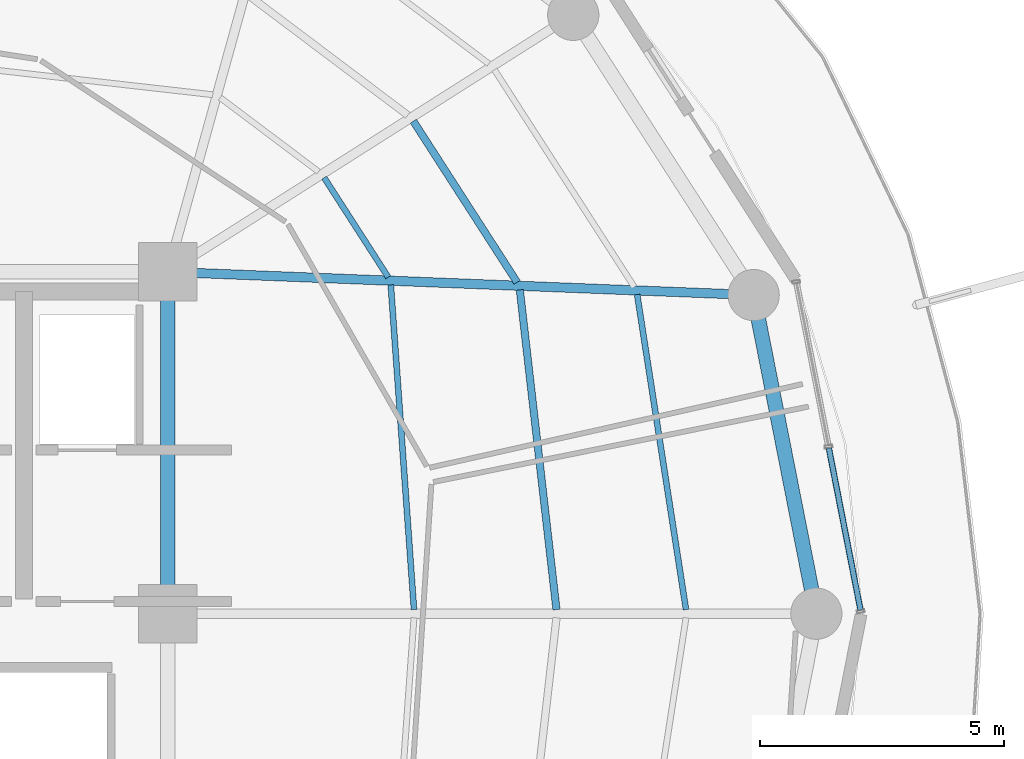
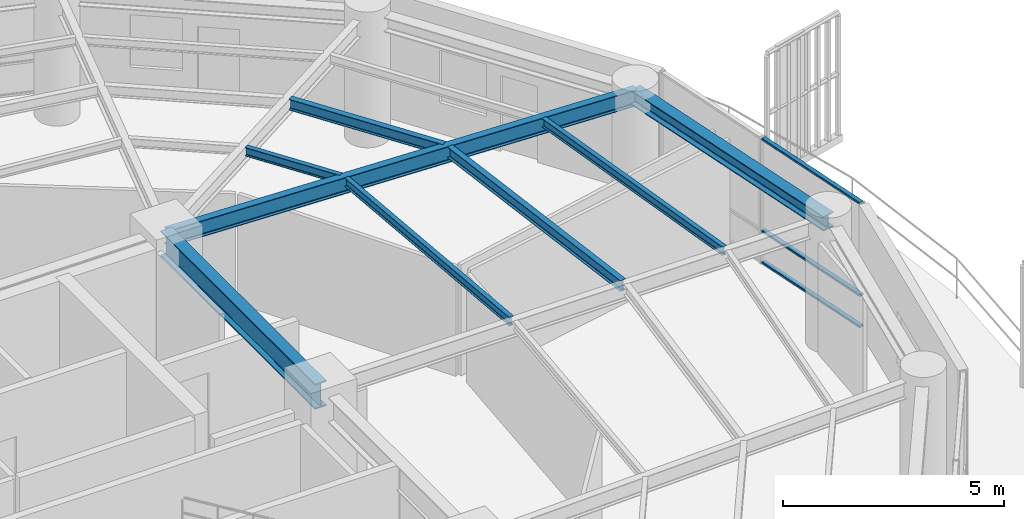
# One storey, part 15 of 31: 8 beams, 3 members, 1 element without a shape of its own.
"""IFC4 building model written with IfcOpenShell, lengths in metres."""

from ifc_helpers import new_model, si_unit, direction, frame, origin, origin_2d, place, context, subcontext, project, spatial, hollow_rectangle, i_section, extrude, material, layer, layer_set, material_profile, profile_set, type_object, element, aggregate, save


model = new_model("IFC4")

# Units and contexts
model_context = context("Model", 3, precision=1e-05, world=origin(), true_north=direction((0.0, 1.0)))
body_context = subcontext(model_context, "Body", "Model", "MODEL_VIEW")
ifc_project = project(units=[si_unit("LENGTHUNIT", "METRE"), si_unit("AREAUNIT", "SQUARE_METRE"), si_unit("VOLUMEUNIT", "CUBIC_METRE"), si_unit("PLANEANGLEUNIT", "RADIAN"), si_unit("MASSUNIT", "GRAM", prefix="KILO")], contexts=[model_context])

# Site, building, storey
site_placement = place(None, origin())
site = spatial("IfcSite", under=ifc_project, at=site_placement, CompositionType="ELEMENT")
building_placement = place(site_placement, origin())
building = spatial("IfcBuilding", under=site, at=building_placement, Name="Kelanora Arch Commons", CompositionType="ELEMENT")
storey_placement = place(building_placement, frame((0.0, 0.0, 196.949951171875)))
storey = spatial("IfcBuildingStorey", under=building, at=storey_placement, Name="L50", CompositionType="ELEMENT", Elevation=196.949951171875)

# Beams
ifc_material_1 = material(Name="Steel S355", Category="steel")
ifc_material_profile_1 = material_profile(ifc_material_1, i_section(OverallWidth=0.300048828125, OverallDepth=0.699951171875, WebThickness=0.01708984375, FlangeThickness=0.031982421875, FilletRadius=0.027099609375, at=origin_2d()), Name="HEB700")
ifc_profile_set_1 = profile_set([ifc_material_profile_1], Name="Steel S355")
beam_type_1 = type_object("IfcBeamType", Name="BM-CORE-HDR", PredefinedType="BEAM", material=ifc_profile_set_1)
beam_1_placement = place(storey_placement, frame((82.0, 58.0, 3.14013671875), z_axis=(0.0, 1.0, 0.0), x_axis=(-1.0, 0.0, 0.0)))
element("IfcBeam", 1, at=beam_1_placement, inside=storey, type_object=beam_type_1, Name="Core Header Beam 04 L50", PredefinedType="BEAM", context=body_context, shape_type="SweptSolid", body=[
    extrude(i_section(OverallWidth=0.300048828125, OverallDepth=0.699951171875, WebThickness=0.01708984375, FlangeThickness=0.031982421875, FilletRadius=0.027099609375, at=origin_2d()), origin(), (0.0, 0.0, 1.0), 7.0),
])
ifc_material_profile_2 = material_profile(ifc_material_1, i_section(OverallWidth=0.14990234375, OverallDepth=0.300048828125, WebThickness=0.007080078125, FlangeThickness=0.0107421875, FilletRadius=0.014892578125, at=origin_2d()), Name="IPE300")
ifc_profile_set_2 = profile_set([ifc_material_profile_2], Name="Steel S355")
beam_type_2 = type_object("IfcBeamType", Name="BM-JST-01", PredefinedType="JOIST", material=ifc_profile_set_2)
beam_2_placement = place(storey_placement, frame((89.958251953125, 58.08447265625, 3.340087890625), z_axis=(-0.113891408177, 0.993493204377, 0.0), x_axis=(-0.993493204377, -0.113891408177, 0.0)))
element("IfcBeam", 2, at=beam_2_placement, inside=storey, type_object=beam_type_2, Name="Secondary Chord Joist BJB-00 L50", PredefinedType="JOIST", context=body_context, shape_type="SweptSolid", body=[
    extrude(i_section(OverallWidth=0.14990234375, OverallDepth=0.300048828125, WebThickness=0.007080078125, FlangeThickness=0.0107421875, FilletRadius=0.014892578125, at=origin_2d()), origin(), (0.0, 0.0, 1.0), 6.589599609375),
])
beam_3_placement = place(storey_placement, frame((89.152099609375, 64.786865234375, 3.340087890625), z_axis=(-0.541411265892, 0.840757896879, 0.0), x_axis=(-0.840757896879, -0.541411265892, 0.0)))
element("IfcBeam", 3, at=beam_3_placement, inside=storey, type_object=beam_type_2, Name="Secondary Chord Joist BJB-02 L50", PredefinedType="JOIST", context=body_context, shape_type="SweptSolid", body=[
    extrude(i_section(OverallWidth=0.14990234375, OverallDepth=0.300048828125, WebThickness=0.007080078125, FlangeThickness=0.0107421875, FilletRadius=0.014892578125, at=origin_2d()), origin(), (0.0, 0.0, 1.0), 3.92529296875),
])
ifc_material_profile_3 = material_profile(ifc_material_1, i_section(OverallWidth=0.1201171875, OverallDepth=0.239990234375, WebThickness=0.006103515625, FlangeThickness=0.009765625, FilletRadius=0.014892578125, at=origin_2d()), Name="IPE240")
ifc_profile_set_3 = profile_set([ifc_material_profile_3], Name="Steel S355")
beam_type_3 = type_object("IfcBeamType", Name="BM-JST-02", PredefinedType="JOIST", material=ifc_profile_set_3)
beam_4_placement = place(storey_placement, frame((87.040283203125, 58.084716796875, 3.3701171875), z_axis=(-0.07133032136, 0.997452748382, 0.0), x_axis=(-0.997452748382, -0.07133032136, 0.0)))
element("IfcBeam", 4, at=beam_4_placement, inside=storey, type_object=beam_type_3, Name="Secondary Chord Joist BJA-00 L50", PredefinedType="JOIST", context=body_context, shape_type="SweptSolid", body=[
    extrude(i_section(OverallWidth=0.1201171875, OverallDepth=0.239990234375, WebThickness=0.006103515625, FlangeThickness=0.009765625, FilletRadius=0.014892578125, at=origin_2d()), origin(), (0.0, 0.0, 1.0), 6.66748046875),
])
beam_5_placement = place(storey_placement, frame((92.611083984375, 58.083984375, 3.3701171875), z_axis=(-0.153256756152, 0.988186402808, 0.0), x_axis=(-0.988186402808, -0.153256756152, 0.0)))
element("IfcBeam", 5, at=beam_5_placement, inside=storey, type_object=beam_type_3, Name="Secondary Chord Joist BJC-00 L50", PredefinedType="JOIST", context=body_context, shape_type="SweptSolid", body=[
    extrude(i_section(OverallWidth=0.1201171875, OverallDepth=0.239990234375, WebThickness=0.006103515625, FlangeThickness=0.009765625, FilletRadius=0.014892578125, at=origin_2d()), origin(), (0.0, 0.0, 1.0), 6.52978515625),
])
beam_6_placement = place(storey_placement, frame((86.5126953125, 64.89111328125, 3.3701171875), z_axis=(-0.541332763503, 0.840808443796, 0.0), x_axis=(-0.840808443796, -0.541332763503, 0.0)))
element("IfcBeam", 6, at=beam_6_placement, inside=storey, type_object=beam_type_3, Name="Secondary Chord Joist BJA-02 L50", PredefinedType="JOIST", context=body_context, shape_type="SweptSolid", body=[
    extrude(i_section(OverallWidth=0.1201171875, OverallDepth=0.239990234375, WebThickness=0.006103515625, FlangeThickness=0.009765625, FilletRadius=0.014892578125, at=origin_2d()), origin(), (0.0, 0.0, 1.0), 2.423583984375),
])
ifc_material_profile_4 = material_profile(ifc_material_1, i_section(OverallWidth=0.18994140625, OverallDepth=0.449951171875, WebThickness=0.009521484375, FlangeThickness=0.0146484375, FilletRadius=0.02099609375, at=origin_2d()), Name="IPE450")
ifc_profile_set_4 = profile_set([ifc_material_profile_4], Name="Steel S355")
beam_type_4 = type_object("IfcBeamType", Name="BM-RAD-Z4", PredefinedType="BEAM", material=ifc_profile_set_4)
beam_7_placement = place(storey_placement, frame((82.0, 65.0, 3.26513671875), z_axis=(0.999219142585, -0.03951082246, 0.0), x_axis=(0.03951082246, 0.999219142585, 0.0)))
element("IfcBeam", 7, at=beam_7_placement, inside=storey, type_object=beam_type_4, Name="Radial Floor Girder BR-02 L50", PredefinedType="BEAM", context=body_context, shape_type="SweptSolid", body=[
    extrude(i_section(OverallWidth=0.18994140625, OverallDepth=0.449951171875, WebThickness=0.009521484375, FlangeThickness=0.0146484375, FilletRadius=0.02099609375, at=origin_2d()), origin(), (0.0, 0.0, 1.0), 12.005859375),
])
ifc_material_profile_5 = material_profile(ifc_material_1, i_section(OverallWidth=0.300048828125, OverallDepth=0.39990234375, WebThickness=0.013427734375, FlangeThickness=0.02392578125, FilletRadius=0.027099609375, at=origin_2d()), Name="HEB400")
ifc_profile_set_5 = profile_set([ifc_material_profile_5], Name="Steel S355")
beam_type_5 = type_object("IfcBeamType", Name="BM-SPN-Z4", PredefinedType="SPANDREL", material=ifc_profile_set_5)
beam_8_placement = place(storey_placement, frame((95.280029296875, 58.0, 3.2900390625), z_axis=(-0.192980724826, 0.981202547819, 0.0), x_axis=(-0.981202547819, -0.192980724826, 0.0)))
element("IfcBeam", 8, at=beam_8_placement, inside=storey, type_object=beam_type_5, Name="Perimeter Spandrel Beam BS-00 L50", PredefinedType="SPANDREL", context=body_context, shape_type="SweptSolid", body=[
    extrude(i_section(OverallWidth=0.300048828125, OverallDepth=0.39990234375, WebThickness=0.013427734375, FlangeThickness=0.02392578125, FilletRadius=0.027099609375, at=origin_2d()), origin(), (0.0, 0.0, 1.0), 6.650634765625),
])

# Curtain wall, members
ifc_material_2 = material(Name="Terracotta ceramic-fritted low-E glass and aluminium", Category="masonry")
ifc_layer = layer(ifc_material_2, 0.175048828125)
ifc_layer_set = layer_set([ifc_layer], Name="Terracotta ceramic-fritted low-E glass and aluminium")
curtain_wall_type = type_object("IfcCurtainWallType", Name="CW-SYS-02", PredefinedType="NOTDEFINED", material=ifc_layer_set)
curtain_wall_placement = place(storey_placement, origin())
curtain_wall = element("IfcCurtainWall", 9, at=curtain_wall_placement, inside=storey, type_object=curtain_wall_type, Name="Unitised Curtain Wall L50-B00", PredefinedType="NOTDEFINED")
ifc_material_3 = material(Name="Powder-coated aluminium terracotta", Category="masonry")
ifc_material_profile_6 = material_profile(ifc_material_3, hollow_rectangle(XDim=0.1201171875, YDim=0.06005859375, WallThickness=0.0048828125, InnerFilletRadius=0.0048828125, OuterFilletRadius=0.010009765625, at=origin_2d()), Name="CWT120x60")
ifc_profile_set_6 = profile_set([ifc_material_profile_6], Name="Powder-coated aluminium terracotta")
member_type = type_object("IfcMemberType", Name="CWT-STD", PredefinedType="USERDEFINED", material=ifc_profile_set_6)
member_1_placement = place(storey_placement, frame((96.185546875, 58.073486328125, 0.030029296875), z_axis=(-0.192044874899, 0.981386145218, 0.0), x_axis=(-0.981386145218, -0.192044874899, 0.0)))
member_1 = element("IfcMember", 10, at=member_1_placement, type_object=member_type, Name="CW-02 transom 1.1", ObjectType="TRANSOM", PredefinedType="USERDEFINED", context=body_context, shape_type="SweptSolid", body=[
    extrude(hollow_rectangle(XDim=0.1201171875, YDim=0.06005859375, WallThickness=0.0048828125, InnerFilletRadius=0.0048828125, OuterFilletRadius=0.010009765625, at=origin_2d()), origin(), (0.0, 0.0, 1.0), 3.38037109375),
])
member_2_placement = place(storey_placement, frame((96.185546875, 58.073486328125, 0.900146484375), z_axis=(-0.192044874899, 0.981386145218, 0.0), x_axis=(-0.981386145218, -0.192044874899, 0.0)))
member_2 = element("IfcMember", 11, at=member_2_placement, type_object=member_type, Name="CW-02 transom 1.2", ObjectType="TRANSOM", PredefinedType="USERDEFINED", context=body_context, shape_type="SweptSolid", body=[
    extrude(hollow_rectangle(XDim=0.1201171875, YDim=0.06005859375, WallThickness=0.0048828125, InnerFilletRadius=0.0048828125, OuterFilletRadius=0.010009765625, at=origin_2d()), origin(), (0.0, 0.0, 1.0), 3.38037109375),
])
member_3_placement = place(storey_placement, frame((96.185546875, 58.073486328125, 3.445068359375), z_axis=(-0.192044874899, 0.981386145218, 0.0), x_axis=(-0.981386145218, -0.192044874899, 0.0)))
member_3 = element("IfcMember", 12, at=member_3_placement, type_object=member_type, Name="CW-02 transom 1.3", ObjectType="TRANSOM", PredefinedType="USERDEFINED", context=body_context, shape_type="SweptSolid", body=[
    extrude(hollow_rectangle(XDim=0.1201171875, YDim=0.06005859375, WallThickness=0.0048828125, InnerFilletRadius=0.0048828125, OuterFilletRadius=0.010009765625, at=origin_2d()), origin(), (0.0, 0.0, 1.0), 3.38037109375),
])
aggregate(curtain_wall, [member_1, member_2, member_3])

save(model, "model.ifc")
